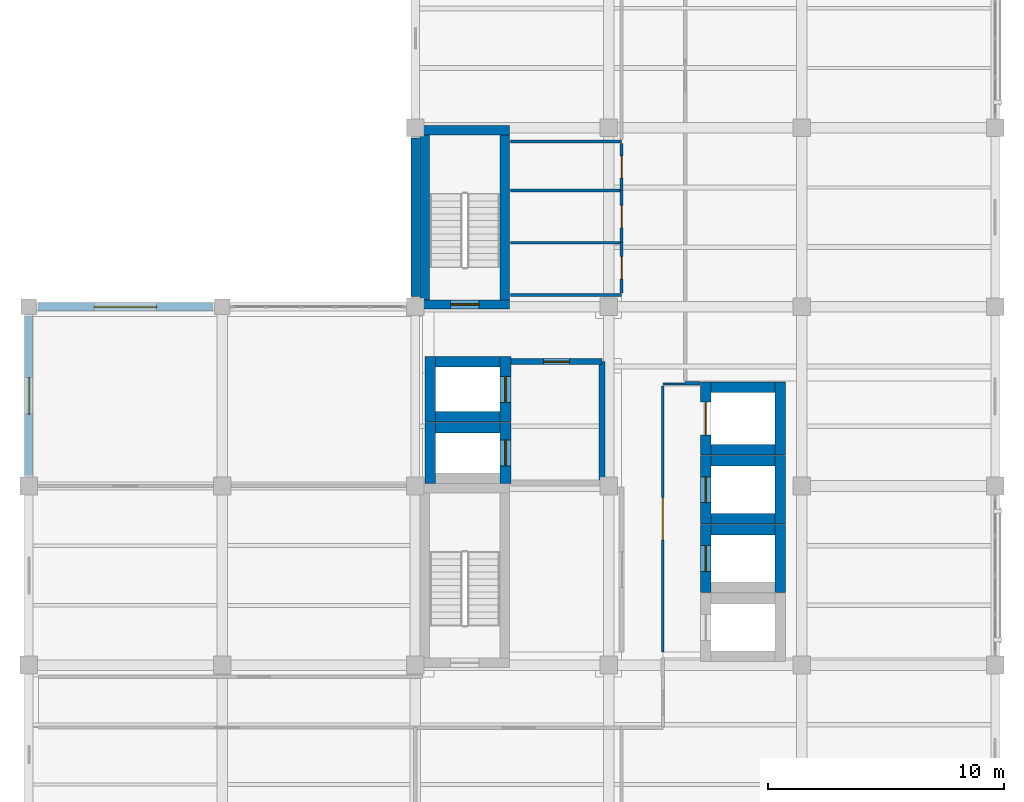
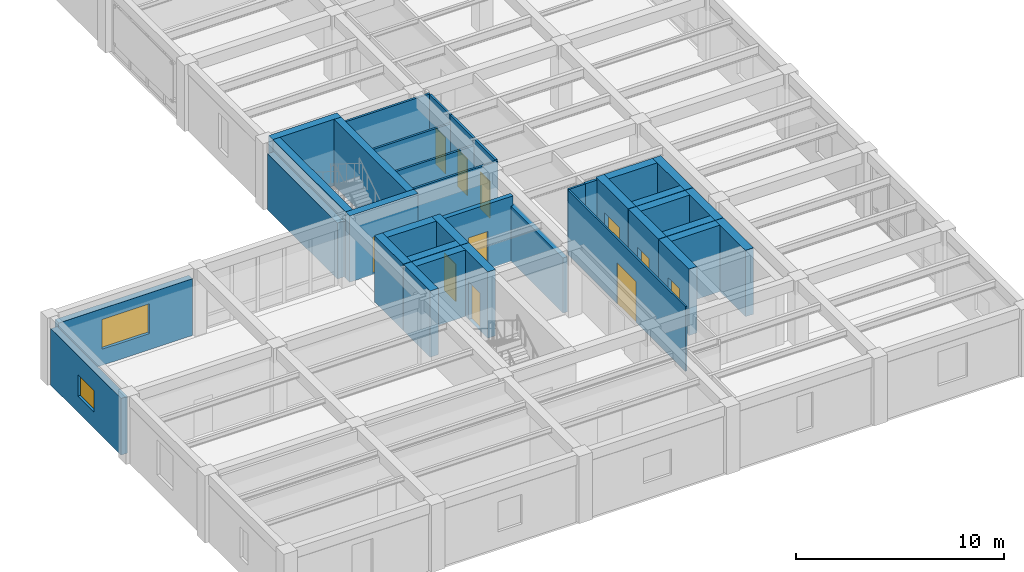
# One storey, part 8 of 14: 37 walls, 11 doors, 2 windows, 13 openings.
"""IFC4 building model written with IfcOpenShell, lengths in metres."""

from ifc_helpers import new_model, si_unit, direction, frame, frame_2d, origin, place, context, subcontext, project, spatial, rectangle, extrude, material, layer, layer_set, type_object, element, fill, save


model = new_model("IFC4")

# Units and contexts
model_context = context("Model", 3, precision=1e-05, world=origin(), true_north=direction((0.0, 1.0)))
body_context = subcontext(model_context, "Body", "Model", "MODEL_VIEW")
ifc_project = project(units=[si_unit("LENGTHUNIT", "METRE"), si_unit("AREAUNIT", "SQUARE_METRE"), si_unit("VOLUMEUNIT", "CUBIC_METRE"), si_unit("PLANEANGLEUNIT", "RADIAN"), si_unit("MASSUNIT", "GRAM", prefix="KILO")], contexts=[model_context])

# Site, building, storey
site_placement = place(None, origin())
site = spatial("IfcSite", under=ifc_project, at=site_placement, CompositionType="ELEMENT")
building_placement = place(site_placement, origin())
building = spatial("IfcBuilding", under=site, at=building_placement, Name="Qandaris Square Conservatory and Botanical Centre", CompositionType="ELEMENT")
storey_placement = place(building_placement, frame((0.0, 0.0, 49.199951171875)))
storey = spatial("IfcBuildingStorey", under=building, at=storey_placement, Name="L11", CompositionType="ELEMENT", Elevation=49.199951171875)

# Walls
ifc_material_1 = material(Name="Gypsum Plasterboard", Category="gypsum")
ifc_layer_1 = layer(ifc_material_1, 0.14990234375)
ifc_layer_set_1 = layer_set([ifc_layer_1], Name="Gypsum Plasterboard")
wall_type_1 = type_object("IfcWallType", Name="Acoustic Laboratory Partition 150mm", PredefinedType="PARTITIONING", material=ifc_layer_set_1)
wall_1_placement = place(storey_placement, frame((150.64990234375, 36.14990234375, 0.0), z_axis=(0.0, 0.0, 1.0), x_axis=(1.0, 0.0, 0.0)))
element("IfcWall", 1, at=wall_1_placement, inside=storey, type_object=wall_type_1, Name="Interior Partition IW-L11-0369", PredefinedType="PARTITIONING", context=body_context, shape_type="SweptSolid", body=[
    extrude(rectangle(XDim=0.6201171875, YDim=0.14990234375, at=frame_2d((0.31005859375, 0.0))), origin(), (0.0, 0.0, 1.0), 3.804931640625),
])
ifc_material_2 = material(Name="Precast concrete C40/50", Category="concrete")
ifc_layer_2 = layer(ifc_material_2, 0.360107421875)
ifc_layer_set_2 = layer_set([ifc_layer_2], Name="Precast concrete C40/50")
wall_type_2 = type_object("IfcWallType", Name="Architectural Precast Cladding Wall 360mm", PredefinedType="SOLIDWALL", material=ifc_layer_set_2)
wall_2_placement = place(storey_placement, frame((139.199951171875, 46.56494140625, 0.0), z_axis=(0.0, 0.0, 1.0), x_axis=(0.0, -1.0, 0.0)))
element("IfcWall", 2, at=wall_2_placement, inside=storey, type_object=wall_type_2, Name="Exterior Wall EW-TWR-L11-4-4", PredefinedType="SOLIDWALL", context=body_context, shape_type="SweptSolid", body=[
    extrude(rectangle(XDim=6.72998046875, YDim=0.360107421875, at=frame_2d((3.364990234375, 0.0))), origin(), (0.0, 0.0, 1.0), 3.28515625),
])

# Wall, opening, window
wall_3_placement = place(storey_placement, frame((130.614990234375, 39.39990234375, 0.0), z_axis=(0.0, 0.0, 1.0), x_axis=(-1.0, 0.0, 0.0)))
wall_3 = element("IfcWall", 3, at=wall_3_placement, inside=storey, type_object=wall_type_2, Name="Exterior Wall EW-TWR-L11-5-2", PredefinedType="SOLIDWALL", context=body_context, shape_type="SweptSolid", body=[
    extrude(rectangle(XDim=7.429931640625, YDim=0.360107421875, at=frame_2d((3.71484375, 0.0))), origin(), (0.0, 0.0, 1.0), 3.330078125),
])
opening_1_placement = place(wall_3_placement, frame((2.389892578125, 0.0, 0.949951171875)))
opening_1 = element("IfcOpeningElement", 4, at=opening_1_placement, cuts=wall_3, Name="Opening WN-43", PredefinedType="OPENING", context=body_context, shape_type="SweptSolid", body=[
    extrude(rectangle(XDim=2.64990234375, YDim=1.75, at=frame_2d((1.324951171875, 0.875))), frame((0.0, 0.19189453125, 0.0), z_axis=(0.0, -1.0, 0.0), x_axis=(1.0, 0.0, 0.0)), (0.0, 0.0, 1.0), 0.384033203125),
])
ifc_material_3 = material(Name="Tempered Low-E Glass", Category="glass")
window_type_1 = type_object("IfcWindowType", Name="Solar Control Window 2650x1750", PartitioningType="DOUBLE_PANEL_VERTICAL", PredefinedType="WINDOW", material=ifc_material_3)
window_1_placement = place(opening_1_placement, origin())
window_1 = element("IfcWindow", 5, at=window_1_placement, inside=storey, type_object=window_type_1, Name="Window EW-TWR-L11-5-2", OverallHeight=1.75, OverallWidth=2.64990234375, PartitioningType="DOUBLE_PANEL_VERTICAL", PredefinedType="WINDOW", context=body_context, shape_type="SweptSolid", body=[
    extrude(rectangle(XDim=2.64990234375, YDim=1.75, at=frame_2d((1.324951171875, 0.875))), frame((0.0, 0.030029296875, 0.0), z_axis=(0.0, -1.0, 0.0), x_axis=(1.0, 0.0, 0.0)), (0.0, 0.0, 1.0), 0.06005859375),
])
fill(opening_1, window_1)

wall_4_placement = place(storey_placement, frame((122.800048828125, 39.014892578125, 0.0), z_axis=(0.0, 0.0, 1.0), x_axis=(0.0, -1.0, 0.0)))
wall_4 = element("IfcWall", 6, at=wall_4_placement, inside=storey, type_object=wall_type_2, Name="Exterior Wall EW-TWR-L11-6-1", PredefinedType="SOLIDWALL", context=body_context, shape_type="SweptSolid", body=[
    extrude(rectangle(XDim=6.77978515625, YDim=0.360107421875, at=frame_2d((3.389892578125, 0.0))), origin(), (0.0, 0.0, 1.0), 3.330078125),
])
opening_2_placement = place(wall_4_placement, frame((2.614990234375, 0.0, 0.949951171875)))
opening_2 = element("IfcOpeningElement", 7, at=opening_2_placement, cuts=wall_4, Name="Opening WN-25", PredefinedType="OPENING", context=body_context, shape_type="SweptSolid", body=[
    extrude(rectangle(XDim=1.550048828125, YDim=1.25, at=frame_2d((0.77490234375, 0.625))), frame((0.0, 0.19189453125, 0.0), z_axis=(0.0, -1.0, 0.0), x_axis=(1.0, 0.0, 0.0)), (0.0, 0.0, 1.0), 0.384033203125),
])
window_type_2 = type_object("IfcWindowType", Name="Solar Control Window 1550x1250", PartitioningType="DOUBLE_PANEL_VERTICAL", PredefinedType="WINDOW", material=ifc_material_3)
window_2_placement = place(opening_2_placement, origin())
window_2 = element("IfcWindow", 8, at=window_2_placement, inside=storey, type_object=window_type_2, Name="Window EW-TWR-L11-6-1", OverallHeight=1.25, OverallWidth=1.550048828125, PartitioningType="DOUBLE_PANEL_VERTICAL", PredefinedType="WINDOW", context=body_context, shape_type="SweptSolid", body=[
    extrude(rectangle(XDim=1.550048828125, YDim=1.25, at=frame_2d((0.77490234375, 0.625))), frame((0.0, 0.030029296875, 0.0), z_axis=(0.0, -1.0, 0.0), x_axis=(1.0, 0.0, 0.0)), (0.0, 0.0, 1.0), 0.06005859375),
])
fill(opening_2, window_2)

# Wall, opening, door
ifc_material_4 = material(Name="Concrete C40/50", Category="concrete")
ifc_layer_3 = layer(ifc_material_4, 0.25)
ifc_layer_set_3 = layer_set([ifc_layer_3], Name="Concrete C40/50")
wall_type_3 = type_object("IfcWallType", Name="Firefighting Lobby Compartment Wall 250mm", PredefinedType="SOLIDWALL", material=ifc_layer_set_3)
wall_5_placement = place(storey_placement, frame((143.25, 37.074951171875, 0.0), z_axis=(0.0, 0.0, 1.0), x_axis=(1.0, 0.0, 0.0)))
wall_5 = element("IfcWall", 9, at=wall_5_placement, inside=storey, type_object=wall_type_3, Name="Firefighting Lobby Wall North (L11)", PredefinedType="SOLIDWALL", context=body_context, shape_type="SweptSolid", body=[
    extrude(rectangle(XDim=3.875, YDim=0.25, at=frame_2d((1.9375, 0.0))), origin(), (0.0, 0.0, 1.0), 3.804931640625),
])
opening_3_placement = place(wall_5_placement, frame((1.387451171875, 0.0, 0.0)))
opening_3 = element("IfcOpeningElement", 10, at=opening_3_placement, cuts=wall_5, Name="Opening D-FFL", PredefinedType="OPENING", context=body_context, shape_type="SweptSolid", body=[
    extrude(rectangle(XDim=1.10009765625, YDim=2.199951171875, at=frame_2d((0.550048828125, 1.10009765625))), frame((0.0, 0.136962890625, 0.0), z_axis=(0.0, -1.0, 0.0), x_axis=(1.0, 0.0, 0.0)), (0.0, 0.0, 1.0), 0.27392578125),
])
ifc_material_5 = material(Name="Steel S355", Category="steel")
door_type_1 = type_object("IfcDoorType", Name="Firefighting Lobby Smoke-Seal Door 1100x2200", OperationType="NOTDEFINED", PredefinedType="DOOR", material=ifc_material_5)
door_1_placement = place(opening_3_placement, origin())
door_1 = element("IfcDoor", 11, at=door_1_placement, inside=storey, type_object=door_type_1, Name="DR-0337 Firefighting Lobby Door (L11)", OperationType="SINGLE_SWING_RIGHT", OverallHeight=2.199951171875, OverallWidth=1.10009765625, PredefinedType="DOOR", context=body_context, shape_type="SweptSolid", body=[
    extrude(rectangle(XDim=1.10009765625, YDim=2.199951171875, at=frame_2d((0.550048828125, 1.10009765625))), frame((0.0, 0.02490234375, 0.0), z_axis=(0.0, -1.0, 0.0), x_axis=(1.0, 0.0, 0.0)), (0.0, 0.0, 1.0), 0.050048828125),
])
fill(opening_3, door_1)

# Wall
wall_6_placement = place(storey_placement, frame((147.125, 31.925048828125, 0.0), z_axis=(0.0, 0.0, 1.0), x_axis=(0.0, 1.0, 0.0)))
element("IfcWall", 12, at=wall_6_placement, inside=storey, type_object=wall_type_3, Name="Firefighting Lobby Wall East (L11)", PredefinedType="SOLIDWALL", context=body_context, shape_type="SweptSolid", body=[
    extrude(rectangle(XDim=5.14990234375, YDim=0.25, at=frame_2d((2.574951171875, 0.0))), origin(), (0.0, 0.0, 1.0), 3.235107421875),
])

# Wall, opening, door
ifc_layer_4 = layer(ifc_material_3, 0.10009765625)
ifc_layer_set_4 = layer_set([ifc_layer_4], Name="Tempered Low-E Glass")
wall_type_4 = type_object("IfcWallType", Name="Framed Acoustic Glazed Gallery Screen 100mm", PredefinedType="PARTITIONING", material=ifc_layer_set_4)
wall_7_placement = place(storey_placement, frame((149.699951171875, 24.75, 0.0), z_axis=(0.0, 0.0, 1.0), x_axis=(0.0, 1.0, 0.0)))
wall_7 = element("IfcWall", 13, at=wall_7_placement, inside=storey, type_object=wall_type_4, Name="Interior Partition IW-L11-0367", PredefinedType="PARTITIONING", context=body_context, shape_type="SweptSolid", body=[
    extrude(rectangle(XDim=11.300048828125, YDim=0.10009765625, at=frame_2d((5.64990234375, 0.0))), origin(), (0.0, 0.0, 1.0), 3.804931640625),
])
opening_4_placement = place(wall_7_placement, frame((4.75, 0.0, 0.0)))
opening_4 = element("IfcOpeningElement", 14, at=opening_4_placement, cuts=wall_7, Name="Opening D-GL1", PredefinedType="OPENING", context=body_context, shape_type="SweptSolid", body=[
    extrude(rectangle(XDim=1.800048828125, YDim=2.39990234375, at=frame_2d((0.89990234375, 1.199951171875))), frame((0.0, 0.06201171875, 0.0), z_axis=(0.0, -1.0, 0.0), x_axis=(1.0, 0.0, 0.0)), (0.0, 0.0, 1.0), 0.1240234375),
])
ifc_material_6 = material(Name="Anodised Aluminium", Category="aluminium")
door_type_2 = type_object("IfcDoorType", Name="Visitor Gallery Glazed Double Door 1800x2400", OperationType="DOUBLE_DOOR_SINGLE_SWING", PredefinedType="DOOR", material=ifc_material_6)
door_2_placement = place(opening_4_placement, frame((1.800048828125, 0.0, 0.0), z_axis=(0.0, 0.0, 1.0), x_axis=(-1.0, 0.0, 0.0)))
door_2 = element("IfcDoor", 15, at=door_2_placement, inside=storey, type_object=door_type_2, Name="DR-0338 Main Circulation Corridor L11 Door", OperationType="DOUBLE_DOOR_SINGLE_SWING", OverallHeight=2.39990234375, OverallWidth=1.800048828125, PredefinedType="DOOR", context=body_context, shape_type="SweptSolid", body=[
    extrude(rectangle(XDim=1.800048828125, YDim=2.39990234375, at=frame_2d((0.89990234375, 1.199951171875))), frame((0.0, 0.02490234375, 0.0), z_axis=(0.0, -1.0, 0.0), x_axis=(1.0, 0.0, 0.0)), (0.0, 0.0, 1.0), 0.050048828125),
])
fill(opening_4, door_2)

# Walls
wall_8_placement = place(storey_placement, frame((149.699951171875, 36.125, 0.0), z_axis=(0.0, 0.0, 1.0), x_axis=(1.0, 0.0, 0.0)))
element("IfcWall", 16, at=wall_8_placement, inside=storey, type_object=wall_type_4, Name="Interior Partition IW-L11-0368", PredefinedType="PARTITIONING", context=body_context, shape_type="SweptSolid", body=[
    extrude(rectangle(XDim=0.949951171875, YDim=0.10009765625, at=frame_2d((0.47509765625, 0.0))), origin(), (0.0, 0.0, 1.0), 3.804931640625),
])
ifc_material_7 = material(Name="Concrete C50/60", Category="concrete")
ifc_layer_5 = layer(ifc_material_7, 0.449951171875)
ifc_layer_set_5 = layer_set([ifc_layer_5], Name="Concrete C50/60")
wall_type_5 = type_object("IfcWallType", Name="RC Coupled Core Shear Wall 450mm", PredefinedType="SHEAR", material=ifc_layer_set_5)
wall_9_placement = place(storey_placement, frame((140.06005859375, 34.264892578125, 0.0), z_axis=(0.0, 0.0, 1.0), x_axis=(1.0, 0.0, 0.0)))
element("IfcWall", 17, at=wall_9_placement, inside=storey, type_object=wall_type_5, Name="Lift FFL1 Shaft Wall North (L11)", PredefinedType="SHEAR", context=body_context, shape_type="SweptSolid", body=[
    extrude(rectangle(XDim=2.739990234375, YDim=0.449951171875, at=frame_2d((1.3701171875, 0.0))), origin(), (0.0, 0.0, 1.0), 3.900146484375),
])
wall_10_placement = place(storey_placement, frame((139.8349609375, 31.909912109375, 0.0), z_axis=(0.0, 0.0, 1.0), x_axis=(0.0, 1.0, 0.0)))
element("IfcWall", 18, at=wall_10_placement, inside=storey, type_object=wall_type_5, Name="Lift FFL1 Shaft Wall West (L11)", PredefinedType="SHEAR", context=body_context, shape_type="SweptSolid", body=[
    extrude(rectangle(XDim=2.580078125, YDim=0.449951171875, at=frame_2d((1.2900390625, 0.0))), origin(), (0.0, 0.0, 1.0), 3.900146484375),
])

# Wall, opening, door
wall_11_placement = place(storey_placement, frame((143.02490234375, 31.909912109375, 0.0), z_axis=(0.0, 0.0, 1.0), x_axis=(0.0, 1.0, 0.0)))
wall_11 = element("IfcWall", 19, at=wall_11_placement, inside=storey, type_object=wall_type_5, Name="Lift FFL1 Shaft Wall East (L11)", PredefinedType="SHEAR", context=body_context, shape_type="SweptSolid", body=[
    extrude(rectangle(XDim=2.580078125, YDim=0.449951171875, at=frame_2d((1.2900390625, 0.0))), origin(), (0.0, 0.0, 1.0), 3.900146484375),
])
opening_5_placement = place(wall_11_placement, frame((0.739990234375, 0.0, 0.0)))
opening_5 = element("IfcOpeningElement", 20, at=opening_5_placement, cuts=wall_11, Name="Opening LD-FFL", PredefinedType="OPENING", context=body_context, shape_type="SweptSolid", body=[
    extrude(rectangle(XDim=1.10009765625, YDim=2.199951171875, at=frame_2d((0.550048828125, 1.10009765625))), frame((0.0, 0.23681640625, 0.0), z_axis=(0.0, -1.0, 0.0), x_axis=(1.0, 0.0, 0.0)), (0.0, 0.0, 1.0), 0.473876953125),
])
door_type_3 = type_object("IfcDoorType", Name="Firefighting Lift Sliding Landing Door 1100x2200", OperationType="DOUBLE_DOOR_SLIDING", PredefinedType="DOOR", material=ifc_material_5)
door_3_placement = place(opening_5_placement, origin())
door_3 = element("IfcDoor", 21, at=door_3_placement, inside=storey, type_object=door_type_3, Name="DR-0354 Lift FFL1 Landing Door (L11)", OperationType="DOUBLE_DOOR_SLIDING", OverallHeight=2.199951171875, OverallWidth=1.10009765625, PredefinedType="DOOR", context=body_context, shape_type="SweptSolid", body=[
    extrude(rectangle(XDim=1.10009765625, YDim=2.199951171875, at=frame_2d((0.550048828125, 1.10009765625))), frame((0.0, 0.02490234375, 0.0), z_axis=(0.0, -1.0, 0.0), x_axis=(1.0, 0.0, 0.0)), (0.0, 0.0, 1.0), 0.050048828125),
])
fill(opening_5, door_3)

# Walls
for number, where, z_axis, x_axis, name in (
    (22, (140.06005859375, 34.735107421875, 0.0), (0.0, 0.0, 1.0), (1.0, 0.0, 0.0), "Lift FFL2 Shaft Wall South (L11)"),
    (23, (140.06005859375, 37.06494140625, 0.0), (0.0, 0.0, 1.0), (1.0, 0.0, 0.0), "Lift FFL2 Shaft Wall North (L11)"),
):
    element("IfcWall", number, at=place(storey_placement, frame(where, z_axis=z_axis, x_axis=x_axis)), inside=storey, type_object=wall_type_5, Name=name, PredefinedType="SHEAR", context=body_context, shape_type="SweptSolid", body=[
        extrude(rectangle(XDim=2.739990234375, YDim=0.449951171875, at=frame_2d((1.3701171875, 0.0))), origin(), (0.0, 0.0, 1.0), 3.900146484375),
    ])
wall_12_placement = place(storey_placement, frame((139.8349609375, 34.510009765625, 0.0), z_axis=(0.0, 0.0, 1.0), x_axis=(0.0, 1.0, 0.0)))
element("IfcWall", 24, at=wall_12_placement, inside=storey, type_object=wall_type_5, Name="Lift FFL2 Shaft Wall West (L11)", PredefinedType="SHEAR", context=body_context, shape_type="SweptSolid", body=[
    extrude(rectangle(XDim=2.780029296875, YDim=0.449951171875, at=frame_2d((1.39013671875, 0.0))), origin(), (0.0, 0.0, 1.0), 3.900146484375),
])

# Wall, opening, door
wall_13_placement = place(storey_placement, frame((143.02490234375, 34.510009765625, 0.0), z_axis=(0.0, 0.0, 1.0), x_axis=(0.0, 1.0, 0.0)))
wall_13 = element("IfcWall", 25, at=wall_13_placement, inside=storey, type_object=wall_type_5, Name="Lift FFL2 Shaft Wall East (L11)", PredefinedType="SHEAR", context=body_context, shape_type="SweptSolid", body=[
    extrude(rectangle(XDim=2.780029296875, YDim=0.449951171875, at=frame_2d((1.39013671875, 0.0))), origin(), (0.0, 0.0, 1.0), 3.900146484375),
])
opening_6_placement = place(wall_13_placement, frame((0.840087890625, 0.0, 0.0)))
opening_6 = element("IfcOpeningElement", 26, at=opening_6_placement, cuts=wall_13, Name="Opening LD-FFL", PredefinedType="OPENING", context=body_context, shape_type="SweptSolid", body=[
    extrude(rectangle(XDim=1.10009765625, YDim=2.199951171875, at=frame_2d((0.550048828125, 1.10009765625))), frame((0.0, 0.23681640625, 0.0), z_axis=(0.0, -1.0, 0.0), x_axis=(1.0, 0.0, 0.0)), (0.0, 0.0, 1.0), 0.473876953125),
])
door_4_placement = place(opening_6_placement, origin())
door_4 = element("IfcDoor", 27, at=door_4_placement, inside=storey, type_object=door_type_3, Name="DR-0355 Lift FFL2 Landing Door (L11)", OperationType="DOUBLE_DOOR_SLIDING", OverallHeight=2.199951171875, OverallWidth=1.10009765625, PredefinedType="DOOR", context=body_context, shape_type="SweptSolid", body=[
    extrude(rectangle(XDim=1.10009765625, YDim=2.199951171875, at=frame_2d((0.550048828125, 1.10009765625))), frame((0.0, 0.02490234375, 0.0), z_axis=(0.0, -1.0, 0.0), x_axis=(1.0, 0.0, 0.0)), (0.0, 0.0, 1.0), 0.050048828125),
])
fill(opening_6, door_4)

# Wall
wall_14_placement = place(storey_placement, frame((151.75, 29.945068359375, 0.0), z_axis=(0.0, 0.0, 1.0), x_axis=(1.0, 0.0, 0.0)))
element("IfcWall", 28, at=wall_14_placement, inside=storey, type_object=wall_type_5, Name="Lift PL2 Shaft Wall North (L11)", PredefinedType="SHEAR", context=body_context, shape_type="SweptSolid", body=[
    extrude(rectangle(XDim=2.699951171875, YDim=0.449951171875, at=frame_2d((1.35009765625, 0.0))), origin(), (0.0, 0.0, 1.0), 3.900146484375),
])

# Wall, opening, door
wall_15_placement = place(storey_placement, frame((151.52490234375, 27.27001953125, 0.0), z_axis=(0.0, 0.0, 1.0), x_axis=(0.0, 1.0, 0.0)))
wall_15 = element("IfcWall", 29, at=wall_15_placement, inside=storey, type_object=wall_type_5, Name="Lift PL2 Shaft Wall West (L11)", PredefinedType="SHEAR", context=body_context, shape_type="SweptSolid", body=[
    extrude(rectangle(XDim=2.89990234375, YDim=0.449951171875, at=frame_2d((1.449951171875, 0.0))), origin(), (0.0, 0.0, 1.0), 3.900146484375),
])
opening_7_placement = place(wall_15_placement, frame((0.89990234375, 0.0, 0.0)))
opening_7 = element("IfcOpeningElement", 30, at=opening_7_placement, cuts=wall_15, Name="Opening LD-PAX", PredefinedType="OPENING", context=body_context, shape_type="SweptSolid", body=[
    extrude(rectangle(XDim=1.10009765625, YDim=2.199951171875, at=frame_2d((0.550048828125, 1.10009765625))), frame((0.0, 0.23681640625, 0.0), z_axis=(0.0, -1.0, 0.0), x_axis=(1.0, 0.0, 0.0)), (0.0, 0.0, 1.0), 0.473876953125),
])
door_type_4 = type_object("IfcDoorType", Name="Passenger Lift Sliding Landing Door 1100x2200", OperationType="DOUBLE_DOOR_SLIDING", PredefinedType="DOOR", material=ifc_material_6)
door_5_placement = place(opening_7_placement, origin())
door_5 = element("IfcDoor", 31, at=door_5_placement, inside=storey, type_object=door_type_4, Name="DR-0358 Lift PL2 Landing Door (L11)", OperationType="DOUBLE_DOOR_SLIDING", OverallHeight=2.199951171875, OverallWidth=1.10009765625, PredefinedType="DOOR", context=body_context, shape_type="SweptSolid", body=[
    extrude(rectangle(XDim=1.10009765625, YDim=2.199951171875, at=frame_2d((0.550048828125, 1.10009765625))), frame((0.0, 0.02490234375, 0.0), z_axis=(0.0, -1.0, 0.0), x_axis=(1.0, 0.0, 0.0)), (0.0, 0.0, 1.0), 0.050048828125),
])
fill(opening_7, door_5)

# Walls
wall_16_placement = place(storey_placement, frame((154.675048828125, 27.27001953125, 0.0), z_axis=(0.0, 0.0, 1.0), x_axis=(0.0, 1.0, 0.0)))
element("IfcWall", 32, at=wall_16_placement, inside=storey, type_object=wall_type_5, Name="Lift PL2 Shaft Wall East (L11)", PredefinedType="SHEAR", context=body_context, shape_type="SweptSolid", body=[
    extrude(rectangle(XDim=2.89990234375, YDim=0.449951171875, at=frame_2d((1.449951171875, 0.0))), origin(), (0.0, 0.0, 1.0), 3.900146484375),
])
for number, where, z_axis, x_axis, name in (
    (33, (151.75, 30.4150390625, 0.0), (0.0, 0.0, 1.0), (1.0, 0.0, 0.0), "Lift PL3 Shaft Wall South (L11)"),
    (34, (151.75, 32.864990234375, 0.0), (0.0, 0.0, 1.0), (1.0, 0.0, 0.0), "Lift PL3 Shaft Wall North (L11)"),
):
    element("IfcWall", number, at=place(storey_placement, frame(where, z_axis=z_axis, x_axis=x_axis)), inside=storey, type_object=wall_type_5, Name=name, PredefinedType="SHEAR", context=body_context, shape_type="SweptSolid", body=[
        extrude(rectangle(XDim=2.699951171875, YDim=0.449951171875, at=frame_2d((1.35009765625, 0.0))), origin(), (0.0, 0.0, 1.0), 3.900146484375),
    ])

# Wall, opening, door
wall_17_placement = place(storey_placement, frame((151.52490234375, 30.18994140625, 0.0), z_axis=(0.0, 0.0, 1.0), x_axis=(0.0, 1.0, 0.0)))
wall_17 = element("IfcWall", 35, at=wall_17_placement, inside=storey, type_object=wall_type_5, Name="Lift PL3 Shaft Wall West (L11)", PredefinedType="SHEAR", context=body_context, shape_type="SweptSolid", body=[
    extrude(rectangle(XDim=2.900146484375, YDim=0.449951171875, at=frame_2d((1.4501953125, 0.0))), origin(), (0.0, 0.0, 1.0), 3.900146484375),
])
opening_8_placement = place(wall_17_placement, frame((0.89990234375, 0.0, 0.0)))
opening_8 = element("IfcOpeningElement", 36, at=opening_8_placement, cuts=wall_17, Name="Opening LD-PAX", PredefinedType="OPENING", context=body_context, shape_type="SweptSolid", body=[
    extrude(rectangle(XDim=1.10009765625, YDim=2.199951171875, at=frame_2d((0.550048828125, 1.10009765625))), frame((0.0, 0.23681640625, 0.0), z_axis=(0.0, -1.0, 0.0), x_axis=(1.0, 0.0, 0.0)), (0.0, 0.0, 1.0), 0.473876953125),
])
door_6_placement = place(opening_8_placement, origin())
door_6 = element("IfcDoor", 37, at=door_6_placement, inside=storey, type_object=door_type_4, Name="DR-0359 Lift PL3 Landing Door (L11)", OperationType="DOUBLE_DOOR_SLIDING", OverallHeight=2.199951171875, OverallWidth=1.10009765625, PredefinedType="DOOR", context=body_context, shape_type="SweptSolid", body=[
    extrude(rectangle(XDim=1.10009765625, YDim=2.199951171875, at=frame_2d((0.550048828125, 1.10009765625))), frame((0.0, 0.02490234375, 0.0), z_axis=(0.0, -1.0, 0.0), x_axis=(1.0, 0.0, 0.0)), (0.0, 0.0, 1.0), 0.050048828125),
])
fill(opening_8, door_6)

# Walls
wall_18_placement = place(storey_placement, frame((154.675048828125, 30.18994140625, 0.0), z_axis=(0.0, 0.0, 1.0), x_axis=(0.0, 1.0, 0.0)))
element("IfcWall", 38, at=wall_18_placement, inside=storey, type_object=wall_type_5, Name="Lift PL3 Shaft Wall East (L11)", PredefinedType="SHEAR", context=body_context, shape_type="SweptSolid", body=[
    extrude(rectangle(XDim=2.900146484375, YDim=0.449951171875, at=frame_2d((1.4501953125, 0.0))), origin(), (0.0, 0.0, 1.0), 3.900146484375),
])
for number, where, z_axis, x_axis, name in (
    (39, (151.75, 33.3349609375, 0.0), (0.0, 0.0, 1.0), (1.0, 0.0, 0.0), "Lift GL1 Shaft Wall South (L11)"),
    (40, (151.75, 35.985107421875, 0.0), (0.0, 0.0, 1.0), (1.0, 0.0, 0.0), "Lift GL1 Shaft Wall North (L11)"),
):
    element("IfcWall", number, at=place(storey_placement, frame(where, z_axis=z_axis, x_axis=x_axis)), inside=storey, type_object=wall_type_5, Name=name, PredefinedType="SHEAR", context=body_context, shape_type="SweptSolid", body=[
        extrude(rectangle(XDim=2.699951171875, YDim=0.449951171875, at=frame_2d((1.35009765625, 0.0))), origin(), (0.0, 0.0, 1.0), 3.900146484375),
    ])

# Wall, opening, door
wall_19_placement = place(storey_placement, frame((151.52490234375, 33.110107421875, 0.0), z_axis=(0.0, 0.0, 1.0), x_axis=(0.0, 1.0, 0.0)))
wall_19 = element("IfcWall", 41, at=wall_19_placement, inside=storey, type_object=wall_type_5, Name="Lift GL1 Shaft Wall West (L11)", PredefinedType="SHEAR", context=body_context, shape_type="SweptSolid", body=[
    extrude(rectangle(XDim=3.099853515625, YDim=0.449951171875, at=frame_2d((1.5498046875, 0.0))), origin(), (0.0, 0.0, 1.0), 3.900146484375),
])
opening_9_placement = place(wall_19_placement, frame((0.85009765625, 0.0, 0.0)))
opening_9 = element("IfcOpeningElement", 42, at=opening_9_placement, cuts=wall_19, Name="Opening LD-GDS", PredefinedType="OPENING", context=body_context, shape_type="SweptSolid", body=[
    extrude(rectangle(XDim=1.39990234375, YDim=2.300048828125, at=frame_2d((0.699951171875, 1.14990234375))), frame((0.0, 0.23681640625, 0.0), z_axis=(0.0, -1.0, 0.0), x_axis=(1.0, 0.0, 0.0)), (0.0, 0.0, 1.0), 0.473876953125),
])
door_type_5 = type_object("IfcDoorType", Name="Goods & Herbarium Lift Sliding Landing Door 1400x2300", OperationType="DOUBLE_DOOR_SLIDING", PredefinedType="DOOR", material=ifc_material_5)
door_7_placement = place(opening_9_placement, origin())
door_7 = element("IfcDoor", 43, at=door_7_placement, inside=storey, type_object=door_type_5, Name="DR-0356 Lift GL1 Landing Door (L11)", OperationType="DOUBLE_DOOR_SLIDING", OverallHeight=2.300048828125, OverallWidth=1.39990234375, PredefinedType="DOOR", context=body_context, shape_type="SweptSolid", body=[
    extrude(rectangle(XDim=1.39990234375, YDim=2.300048828125, at=frame_2d((0.699951171875, 1.14990234375))), frame((0.0, 0.02490234375, 0.0), z_axis=(0.0, -1.0, 0.0), x_axis=(1.0, 0.0, 0.0)), (0.0, 0.0, 1.0), 0.050048828125),
])
fill(opening_9, door_7)

# Wall
wall_20_placement = place(storey_placement, frame((154.675048828125, 33.110107421875, 0.0), z_axis=(0.0, 0.0, 1.0), x_axis=(0.0, 1.0, 0.0)))
element("IfcWall", 44, at=wall_20_placement, inside=storey, type_object=wall_type_5, Name="Lift GL1 Shaft Wall East (L11)", PredefinedType="SHEAR", context=body_context, shape_type="SweptSolid", body=[
    extrude(rectangle(XDim=3.099853515625, YDim=0.449951171875, at=frame_2d((1.5498046875, 0.0))), origin(), (0.0, 0.0, 1.0), 3.900146484375),
])

# Wall, opening, door
ifc_layer_6 = layer(ifc_material_7, 0.39990234375)
ifc_layer_set_6 = layer_set([ifc_layer_6], Name="Concrete C50/60")
wall_type_6 = type_object("IfcWallType", Name="RC Stair Core Shear Wall 400mm", PredefinedType="SHEAR", material=ifc_layer_set_6)
wall_21_placement = place(storey_placement, frame((139.39990234375, 39.5, 0.0), z_axis=(0.0, 0.0, 1.0), x_axis=(1.0, 0.0, 0.0)))
wall_21 = element("IfcWall", 45, at=wall_21_placement, inside=storey, type_object=wall_type_6, Name="ST-2 Core Shear Wall South (L11)", PredefinedType="SHEAR", context=body_context, shape_type="SweptSolid", body=[
    extrude(rectangle(XDim=3.800048828125, YDim=0.39990234375, at=frame_2d((1.89990234375, 0.0))), origin(), (0.0, 0.0, 1.0), 3.900146484375),
])
opening_10_placement = place(wall_21_placement, frame((1.300048828125, 0.0, 0.0)))
opening_10 = element("IfcOpeningElement", 46, at=opening_10_placement, cuts=wall_21, Name="Opening D-ST1", PredefinedType="OPENING", context=body_context, shape_type="SweptSolid", body=[
    extrude(rectangle(XDim=1.199951171875, YDim=2.199951171875, at=frame_2d((0.60009765625, 1.10009765625))), frame((0.0, 0.2119140625, 0.0), z_axis=(0.0, -1.0, 0.0), x_axis=(1.0, 0.0, 0.0)), (0.0, 0.0, 1.0), 0.423828125),
])
door_type_6 = type_object("IfcDoorType", Name="Exit Stair Core Fire Door 1200x2200", OperationType="NOTDEFINED", PredefinedType="DOOR", material=ifc_material_5)
door_8_placement = place(opening_10_placement, origin())
door_8 = element("IfcDoor", 47, at=door_8_placement, inside=storey, type_object=door_type_6, Name="DR-0350 ST-2 Stair Core Door (L11)", OperationType="SINGLE_SWING_LEFT", OverallHeight=2.199951171875, OverallWidth=1.199951171875, PredefinedType="DOOR", context=body_context, shape_type="SweptSolid", body=[
    extrude(rectangle(XDim=1.199951171875, YDim=2.199951171875, at=frame_2d((0.60009765625, 1.10009765625))), frame((0.0, 0.02490234375, 0.0), z_axis=(0.0, -1.0, 0.0), x_axis=(1.0, 0.0, 0.0)), (0.0, 0.0, 1.0), 0.050048828125),
])
fill(opening_10, door_8)

# Walls
wall_22_placement = place(storey_placement, frame((139.39990234375, 46.89990234375, 0.0), z_axis=(0.0, 0.0, 1.0), x_axis=(1.0, 0.0, 0.0)))
element("IfcWall", 48, at=wall_22_placement, inside=storey, type_object=wall_type_6, Name="ST-2 Core Shear Wall North (L11)", PredefinedType="SHEAR", context=body_context, shape_type="SweptSolid", body=[
    extrude(rectangle(XDim=3.800048828125, YDim=0.39990234375, at=frame_2d((1.89990234375, 0.0))), origin(), (0.0, 0.0, 1.0), 3.900146484375),
])
for number, where, z_axis, x_axis, name in (
    (49, (139.60009765625, 39.699951171875, 0.0), (0.0, 0.0, 1.0), (0.0, 1.0, 0.0), "ST-2 Core Shear Wall West (L11)"),
    (50, (143.0, 39.699951171875, 0.0), (0.0, 0.0, 1.0), (0.0, 1.0, 0.0), "ST-2 Core Shear Wall East (L11)"),
):
    element("IfcWall", number, at=place(storey_placement, frame(where, z_axis=z_axis, x_axis=x_axis)), inside=storey, type_object=wall_type_6, Name=name, PredefinedType="SHEAR", context=body_context, shape_type="SweptSolid", body=[
        extrude(rectangle(XDim=7.0, YDim=0.39990234375, at=frame_2d((3.5, 0.0))), origin(), (0.0, 0.0, 1.0), 3.900146484375),
    ])
ifc_layer_7 = layer(ifc_material_1, 0.1201171875)
ifc_layer_set_7 = layer_set([ifc_layer_7], Name="Gypsum Plasterboard")
wall_type_7 = type_object("IfcWallType", Name="Standard Research Partition 120mm", PredefinedType="PARTITIONING", material=ifc_layer_set_7)
for number, where, z_axis, x_axis, name in (
    (51, (143.22998046875, 39.89990234375, 0.0), (0.0, 0.0, 1.0), (1.0, 0.0, 0.0), "Sanitary Toilet Partition Wall WCW-L11-SOUTH1"),
    (52, (143.22998046875, 46.419921875, 0.0), (0.0, 0.0, 1.0), (1.0, 0.0, 0.0), "Sanitary Toilet Partition Wall WCW-L11-NORTH1"),
):
    element("IfcWall", number, at=place(storey_placement, frame(where, z_axis=z_axis, x_axis=x_axis)), inside=storey, type_object=wall_type_7, Name=name, PredefinedType="PARTITIONING", context=body_context, shape_type="SweptSolid", body=[
        extrude(rectangle(XDim=4.719970703125, YDim=0.1201171875, at=frame_2d((2.35986328125, 0.0))), origin(), (0.0, 0.0, 1.0), 3.804931640625),
    ])
wall_23_placement = place(storey_placement, frame((143.22998046875, 42.1201171875, 0.0), z_axis=(0.0, 0.0, 1.0), x_axis=(1.0, 0.0, 0.0)))
element("IfcWall", 53, at=wall_23_placement, inside=storey, type_object=wall_type_7, Name="Interior Partition IW-L11-0370", PredefinedType="PARTITIONING", context=body_context, shape_type="SweptSolid", body=[
    extrude(rectangle(XDim=4.719970703125, YDim=0.1201171875, at=frame_2d((2.35986328125, 0.0))), origin(), (0.0, 0.0, 1.0), 3.375),
])

# Wall, opening, door
wall_24_placement = place(storey_placement, frame((147.949951171875, 42.1201171875, 0.0), z_axis=(0.0, 0.0, 1.0), x_axis=(0.0, -1.0, 0.0)))
wall_24 = element("IfcWall", 54, at=wall_24_placement, inside=storey, type_object=wall_type_7, Name="Interior Partition IW-L11-0371", PredefinedType="PARTITIONING", context=body_context, shape_type="SweptSolid", body=[
    extrude(rectangle(XDim=2.130126953125, YDim=0.1201171875, at=frame_2d((1.06494140625, 0.0))), origin(), (0.0, 0.0, 1.0), 3.804931640625),
])
opening_11_placement = place(wall_24_placement, frame((0.590087890625, 0.0, 0.0)))
opening_11 = element("IfcOpeningElement", 55, at=opening_11_placement, cuts=wall_24, Name="Opening D-WC1", PredefinedType="OPENING", context=body_context, shape_type="SweptSolid", body=[
    extrude(rectangle(XDim=0.949951171875, YDim=2.14990234375, at=frame_2d((0.47509765625, 1.074951171875))), frame((0.0, 0.072021484375, 0.0), z_axis=(0.0, -1.0, 0.0), x_axis=(1.0, 0.0, 0.0)), (0.0, 0.0, 1.0), 0.14404296875),
])
ifc_material_8 = material(Name="Engineered Oak Timber", Category="wood")
door_type_7 = type_object("IfcDoorType", Name="Accessible Sanitary Room Door 950x2150", OperationType="NOTDEFINED", PredefinedType="DOOR", material=ifc_material_8)
door_9_placement = place(opening_11_placement, origin())
door_9 = element("IfcDoor", 56, at=door_9_placement, inside=storey, type_object=door_type_7, Name="DR-0351 Accessible Toilet L11 Door", OperationType="SINGLE_SWING_LEFT", OverallHeight=2.14990234375, OverallWidth=0.949951171875, PredefinedType="DOOR", context=body_context, shape_type="SweptSolid", body=[
    extrude(rectangle(XDim=0.949951171875, YDim=2.14990234375, at=frame_2d((0.47509765625, 1.074951171875))), frame((0.0, 0.02490234375, 0.0), z_axis=(0.0, -1.0, 0.0), x_axis=(1.0, 0.0, 0.0)), (0.0, 0.0, 1.0), 0.050048828125),
])
fill(opening_11, door_9)

# Wall
wall_25_placement = place(storey_placement, frame((143.22998046875, 44.340087890625, 0.0), z_axis=(0.0, 0.0, 1.0), x_axis=(1.0, 0.0, 0.0)))
element("IfcWall", 57, at=wall_25_placement, inside=storey, type_object=wall_type_7, Name="Interior Partition IW-L11-0372", PredefinedType="PARTITIONING", context=body_context, shape_type="SweptSolid", body=[
    extrude(rectangle(XDim=4.719970703125, YDim=0.1201171875, at=frame_2d((2.35986328125, 0.0))), origin(), (0.0, 0.0, 1.0), 3.324951171875),
])

# Wall, opening, door
wall_26_placement = place(storey_placement, frame((147.949951171875, 44.340087890625, 0.0), z_axis=(0.0, 0.0, 1.0), x_axis=(0.0, -1.0, 0.0)))
wall_26 = element("IfcWall", 58, at=wall_26_placement, inside=storey, type_object=wall_type_7, Name="Interior Partition IW-L11-0373", PredefinedType="PARTITIONING", context=body_context, shape_type="SweptSolid", body=[
    extrude(rectangle(XDim=2.219970703125, YDim=0.1201171875, at=frame_2d((1.10986328125, 0.0))), origin(), (0.0, 0.0, 1.0), 3.804931640625),
])
opening_12_placement = place(wall_26_placement, frame((0.635009765625, 0.0, 0.0)))
opening_12 = element("IfcOpeningElement", 59, at=opening_12_placement, cuts=wall_26, Name="Opening D-WC1", PredefinedType="OPENING", context=body_context, shape_type="SweptSolid", body=[
    extrude(rectangle(XDim=0.949951171875, YDim=2.14990234375, at=frame_2d((0.47509765625, 1.074951171875))), frame((0.0, 0.072021484375, 0.0), z_axis=(0.0, -1.0, 0.0), x_axis=(1.0, 0.0, 0.0)), (0.0, 0.0, 1.0), 0.14404296875),
])
door_10_placement = place(opening_12_placement, origin())
door_10 = element("IfcDoor", 60, at=door_10_placement, inside=storey, type_object=door_type_7, Name="DR-0352 Staff Male Toilet L11 Door", OperationType="SINGLE_SWING_RIGHT", OverallHeight=2.14990234375, OverallWidth=0.949951171875, PredefinedType="DOOR", context=body_context, shape_type="SweptSolid", body=[
    extrude(rectangle(XDim=0.949951171875, YDim=2.14990234375, at=frame_2d((0.47509765625, 1.074951171875))), frame((0.0, 0.02490234375, 0.0), z_axis=(0.0, -1.0, 0.0), x_axis=(1.0, 0.0, 0.0)), (0.0, 0.0, 1.0), 0.050048828125),
])
fill(opening_12, door_10)

wall_27_placement = place(storey_placement, frame((147.949951171875, 46.330078125, 0.0), z_axis=(0.0, 0.0, 1.0), x_axis=(0.0, -1.0, 0.0)))
wall_27 = element("IfcWall", 61, at=wall_27_placement, inside=storey, type_object=wall_type_7, Name="Interior Partition IW-L11-0374", PredefinedType="PARTITIONING", context=body_context, shape_type="SweptSolid", body=[
    extrude(rectangle(XDim=1.989990234375, YDim=0.1201171875, at=frame_2d((0.9951171875, 0.0))), origin(), (0.0, 0.0, 1.0), 3.804931640625),
])
opening_13_placement = place(wall_27_placement, frame((0.52001953125, 0.0, 0.0)))
opening_13 = element("IfcOpeningElement", 62, at=opening_13_placement, cuts=wall_27, Name="Opening D-WC1", PredefinedType="OPENING", context=body_context, shape_type="SweptSolid", body=[
    extrude(rectangle(XDim=0.949951171875, YDim=2.14990234375, at=frame_2d((0.47509765625, 1.074951171875))), frame((0.0, 0.072021484375, 0.0), z_axis=(0.0, -1.0, 0.0), x_axis=(1.0, 0.0, 0.0)), (0.0, 0.0, 1.0), 0.14404296875),
])
door_11_placement = place(opening_13_placement, frame((0.949951171875, 0.0, 0.0), z_axis=(0.0, 0.0, 1.0), x_axis=(-1.0, 0.0, 0.0)))
door_11 = element("IfcDoor", 63, at=door_11_placement, inside=storey, type_object=door_type_7, Name="DR-0353 Staff Female Toilet L11 Door", OperationType="SINGLE_SWING_LEFT", OverallHeight=2.14990234375, OverallWidth=0.949951171875, PredefinedType="DOOR", context=body_context, shape_type="SweptSolid", body=[
    extrude(rectangle(XDim=0.949951171875, YDim=2.14990234375, at=frame_2d((0.47509765625, 1.074951171875))), frame((0.0, 0.02490234375, 0.0), z_axis=(0.0, -1.0, 0.0), x_axis=(1.0, 0.0, 0.0)), (0.0, 0.0, 1.0), 0.050048828125),
])
fill(opening_13, door_11)

save(model, "model.ifc")
